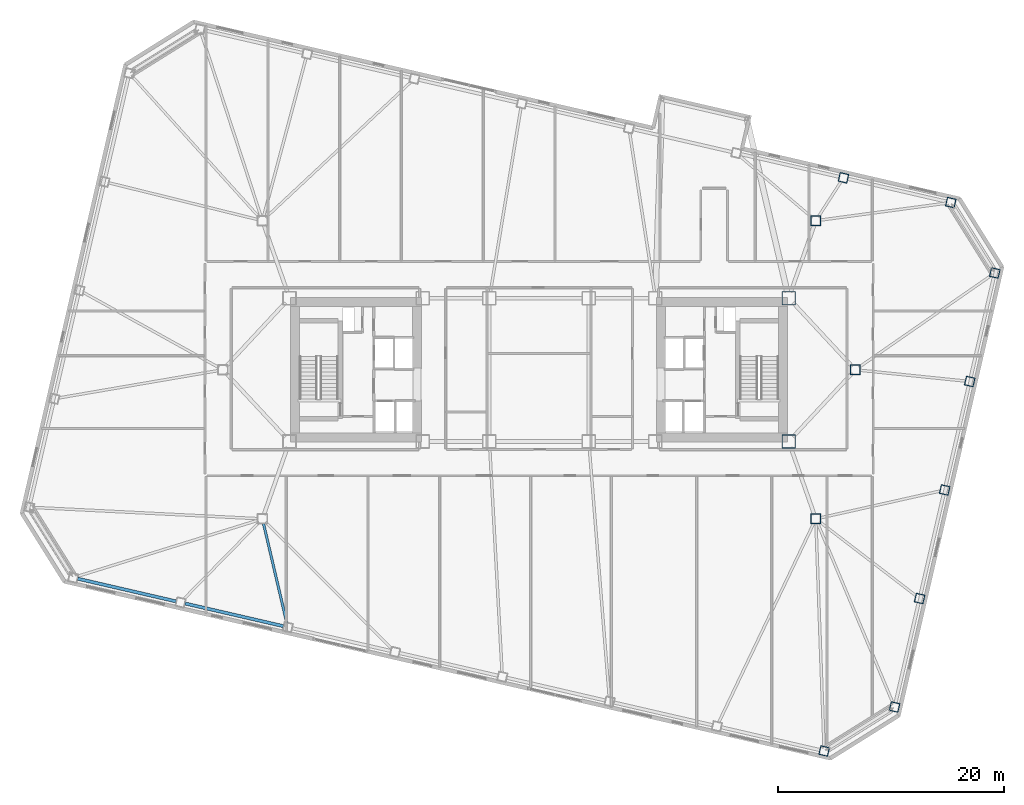
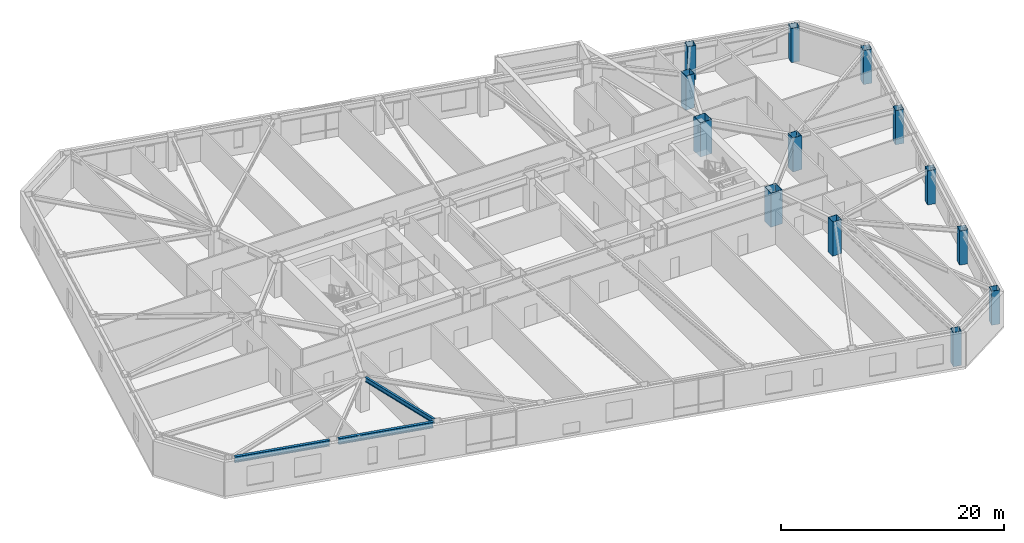
# One storey, part 3 of 20: 13 columns, 3 beams.
"""IFC4 building model written with IfcOpenShell, lengths in metres."""

from ifc_helpers import new_model, si_unit, direction, frame, origin, origin_2d, place, context, subcontext, project, spatial, hollow_rectangle, i_section, extrude, material, material_profile, profile_set, type_object, element, save


model = new_model("IFC4")

# Units and contexts
model_context = context("Model", 3, precision=1e-05, world=origin(), true_north=direction((0.0, 1.0)))
body_context = subcontext(model_context, "Body", "Model", "MODEL_VIEW")
ifc_project = project(units=[si_unit("LENGTHUNIT", "METRE"), si_unit("AREAUNIT", "SQUARE_METRE"), si_unit("VOLUMEUNIT", "CUBIC_METRE"), si_unit("PLANEANGLEUNIT", "RADIAN"), si_unit("MASSUNIT", "GRAM", prefix="KILO")], contexts=[model_context])

# Site, building, storey
site_placement = place(None, origin())
site = spatial("IfcSite", under=ifc_project, at=site_placement, CompositionType="ELEMENT")
building_placement = place(site_placement, origin())
building = spatial("IfcBuilding", under=site, at=building_placement, Name="Tavrogorsk Clinical Tower", CompositionType="ELEMENT")
storey_placement = place(building_placement, frame((0.0, 0.0, 67.39990234375)))
storey = spatial("IfcBuildingStorey", under=building, at=storey_placement, Name="L14", CompositionType="ELEMENT", Elevation=67.39990234375)

# Columns
ifc_material_1 = material(Name="Structural steel S440", Category="steel")
ifc_material_profile_1 = material_profile(ifc_material_1, hollow_rectangle(XDim=1.199951171875, YDim=1.199951171875, WallThickness=0.050048828125, at=origin_2d()), Name="BOX-1200x1200x50")
ifc_profile_set_1 = profile_set([ifc_material_profile_1], Name="Structural steel S440")
column_type_1 = type_object("IfcColumnType", Name="MegaCol_BOX1200", PredefinedType="COLUMN", material=ifc_profile_set_1)
for number, where, z_axis, x_axis, name in (
    (1, (22.10009765625, -6.35009765625, 0.0), (0.0, 0.0, 1.0), (1.0, 0.0, 0.0), "L14 Mega Column MC-E3"),
    (2, (22.10009765625, 6.35009765625, 0.0), (0.0, 0.0, 1.0), (1.0, 0.0, 0.0), "L14 Mega Column MC-E4"),
):
    element("IfcColumn", number, at=place(storey_placement, frame(where, z_axis=z_axis, x_axis=x_axis)), inside=storey, type_object=column_type_1, Name=name, PredefinedType="COLUMN", context=body_context, shape_type="SweptSolid", body=[
        extrude(hollow_rectangle(XDim=1.199951171875, YDim=1.199951171875, WallThickness=0.050048828125, at=origin_2d()), origin(), (0.0, 0.0, 1.0), 3.739990234375),
    ])
ifc_material_2 = material(Name="Structural steel S440", Category="steel")
ifc_material_profile_2 = material_profile(ifc_material_2, hollow_rectangle(XDim=0.89990234375, YDim=0.89990234375, WallThickness=0.0400390625, at=origin_2d()), Name="BOX-900x900x40")
ifc_profile_set_2 = profile_set([ifc_material_profile_2], Name="Structural steel S440")
column_type_2 = type_object("IfcColumnType", Name="MegaCol_BOX900", PredefinedType="COLUMN", material=ifc_profile_set_2)
for number, where, z_axis, x_axis, name in (
    (3, (24.5, -13.199951171875, 0.0), (0.0, 0.0, 1.0), (1.0, 0.0, 0.0), "L14 Spine Pilotis Column MC-P2"),
    (4, (24.5, 13.199951171875, 0.0), (0.0, 0.0, 1.0), (1.0, 0.0, 0.0), "L14 Spine Pilotis Column MC-P4"),
    (5, (28.0, 0.0, 0.0), (0.0, 0.0, 1.0), (1.0, 0.0, 0.0), "L14 Spine Pilotis Column MC-P6"),
):
    element("IfcColumn", number, at=place(storey_placement, frame(where, z_axis=z_axis, x_axis=x_axis)), inside=storey, type_object=column_type_2, Name=name, PredefinedType="COLUMN", context=body_context, shape_type="SweptSolid", body=[
        extrude(hollow_rectangle(XDim=0.89990234375, YDim=0.89990234375, WallThickness=0.0400390625, at=origin_2d()), origin(), (0.0, 0.0, 1.0), 3.739990234375),
    ])
ifc_material_3 = material(Name="Structural steel S440", Category="steel")
ifc_material_profile_3 = material_profile(ifc_material_3, hollow_rectangle(XDim=0.800048828125, YDim=0.800048828125, WallThickness=0.035888671875, at=origin_2d()), Name="BOX-800x800x36")
ifc_profile_set_3 = profile_set([ifc_material_profile_3], Name="Structural steel S440")
column_type_3 = type_object("IfcColumnType", Name="PerimCol_B1_BOX800", PredefinedType="COLUMN", material=ifc_profile_set_3)
for number, where, z_axis, x_axis, name in (
    (6, (25.23974609375, -33.756591796875, 0.0), (0.0, 0.0, 1.0), (0.974370064785, -0.224951054344, 0.0), "L14 Perimeter Column S8"),
    (7, (36.451416015625, 14.805908203125, 0.0), (0.0, 0.0, 1.0), (0.974370064785, -0.224951054344, 0.0), "L14 Perimeter Column N1"),
    (8, (26.952392578125, 16.998779296875, 0.0), (0.0, 0.0, 1.0), (0.974370064785, -0.224951054344, 0.0), "L14 Perimeter Column N2"),
    (9, (31.476318359375, -29.859619140625, 0.0), (0.0, 0.0, 1.0), (0.974370064785, -0.224951054344, 0.0), "L14 Perimeter Column E1"),
    (10, (33.694091796875, -20.25244140625, 0.0), (0.0, 0.0, 1.0), (0.974370064785, -0.224951054344, 0.0), "L14 Perimeter Column E2"),
    (11, (35.912109375, -10.64501953125, 0.0), (0.0, 0.0, 1.0), (0.974370064785, -0.224951054344, 0.0), "L14 Perimeter Column E3"),
    (12, (38.130126953125, -1.037841796875, 0.0), (0.0, 0.0, 1.0), (0.974370064785, -0.224951054344, 0.0), "L14 Perimeter Column E4"),
    (13, (40.348388671875, 8.569580078125, 0.0), (0.0, 0.0, 1.0), (0.974370064785, -0.224951054344, 0.0), "L14 Perimeter Column E5"),
):
    element("IfcColumn", number, at=place(storey_placement, frame(where, z_axis=z_axis, x_axis=x_axis)), inside=storey, type_object=column_type_3, Name=name, PredefinedType="COLUMN", context=body_context, shape_type="SweptSolid", body=[
        extrude(hollow_rectangle(XDim=0.800048828125, YDim=0.800048828125, WallThickness=0.035888671875, at=origin_2d()), origin(), (0.0, 0.0, 1.0), 3.739990234375),
    ])

# Beams
ifc_material_4 = material(Name="Structural steel S355", Category="steel")
ifc_material_profile_4 = material_profile(ifc_material_4, i_section(OverallWidth=0.219970703125, OverallDepth=0.5, WebThickness=0.012939453125, FlangeThickness=0.02001953125, at=origin_2d()), Name="B-500x220x13x20")
ifc_profile_set_4 = profile_set([ifc_material_profile_4], Name="Structural steel S355")
beam_type_1 = type_object("IfcBeamType", Name="FloorBeam_B500", PredefinedType="BEAM", material=ifc_profile_set_4)
beam_placement = place(storey_placement, frame((-24.406494140625, -13.59912109375, 3.489990234375), z_axis=(0.227996771429, -0.973661888038, 0.0), x_axis=(0.973661888038, 0.227996771429, 0.0)))
element("IfcBeam", 14, at=beam_placement, inside=storey, type_object=beam_type_1, Name="L14 Radial Floor Beam S3", PredefinedType="BEAM", context=body_context, shape_type="SweptSolid", body=[
    extrude(i_section(OverallWidth=0.219970703125, OverallDepth=0.5, WebThickness=0.012939453125, FlangeThickness=0.02001953125, at=origin_2d()), origin(), (0.0, 0.0, 1.0), 9.033447265625),
])
ifc_material_5 = material(Name="Structural steel S390", Category="steel")
ifc_material_profile_5 = material_profile(ifc_material_5, i_section(OverallWidth=0.280029296875, OverallDepth=0.64990234375, WebThickness=0.01611328125, FlangeThickness=0.02490234375, at=origin_2d()), Name="B-650x280x16x25")
ifc_profile_set_5 = profile_set([ifc_material_profile_5], Name="Structural steel S390")
beam_type_2 = type_object("IfcBeamType", Name="SpandrelBeam_B650", PredefinedType="SPANDREL", material=ifc_profile_set_5)
for number, where, z_axis, x_axis, name in (
    (15, (-40.853759765625, -18.497802734375, 3.4150390625), (0.974372766602, -0.224939351168, 0.0), (0.224939351168, 0.974372766602, 0.0), "L14 Perimeter Spandrel S1-S2"),
    (16, (-31.35498046875, -20.690673828125, 3.4150390625), (0.974366775889, -0.224965299645, 0.0), (0.224965299645, 0.974366775889, 0.0), "L14 Perimeter Spandrel S2-S3"),
):
    element("IfcBeam", number, at=place(storey_placement, frame(where, z_axis=z_axis, x_axis=x_axis)), inside=storey, type_object=beam_type_2, Name=name, PredefinedType="SPANDREL", context=body_context, shape_type="SweptSolid", body=[
        extrude(i_section(OverallWidth=0.280029296875, OverallDepth=0.64990234375, WebThickness=0.01611328125, FlangeThickness=0.02490234375, at=origin_2d()), origin(), (0.0, 0.0, 1.0), 8.9326171875),
    ])

save(model, "model.ifc")
